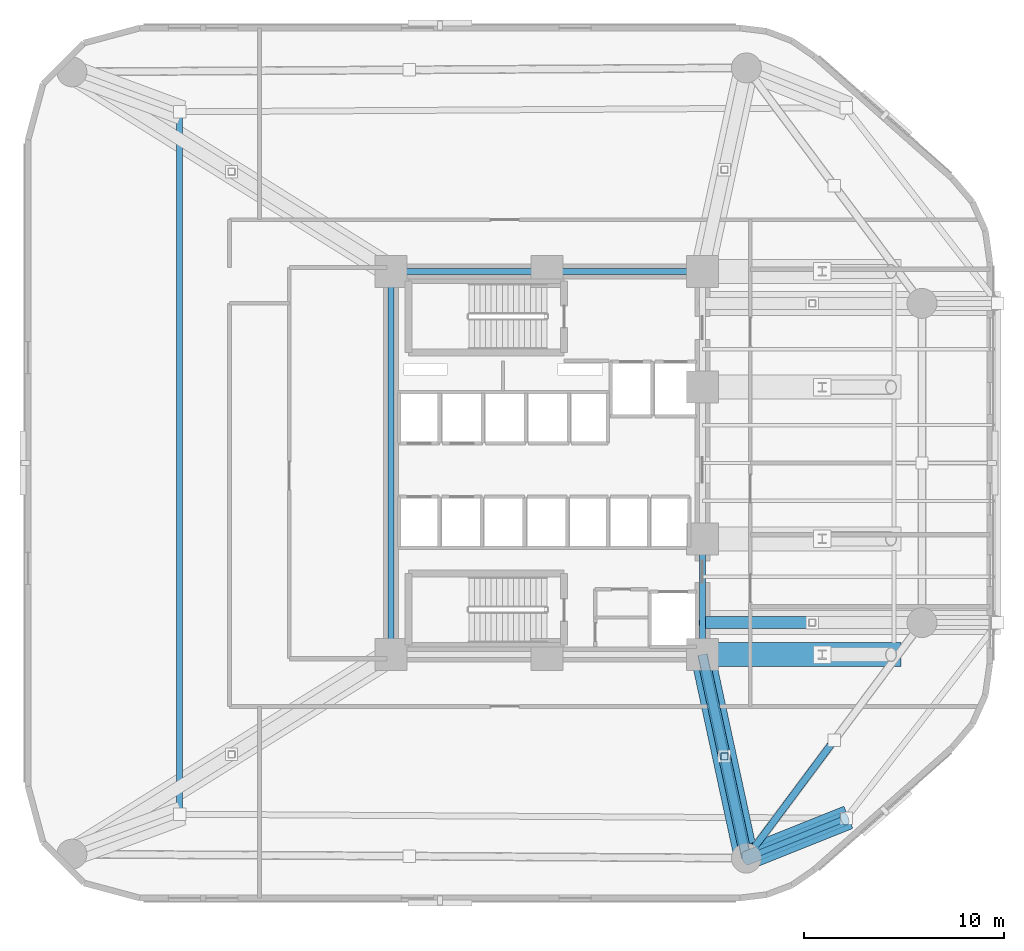
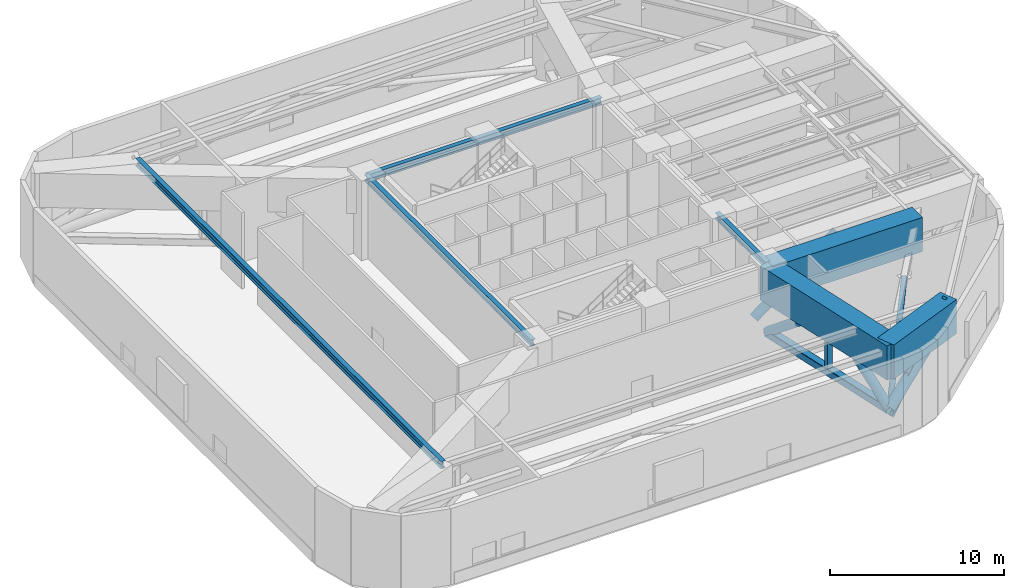
# One storey, part 3 of 11: 8 beams, 7 members.
"""IFC4 building model written with IfcOpenShell, lengths in metres."""

import ifcopenshell
import ifcopenshell.guid

model = None  # the IFC model being written
_history = None  # IfcOwnerHistory: only IFC2X3 demands one
_inside = {}  # id of a spatial element -> (the spatial element, [elements in it])
_under = {}  # id of a project, library or spatial element -> (it, [spatial elements below it])
_declared = {}  # id of a project -> (the project, [libraries it declares])
_typed = {}  # id of a type object -> (the type object, [elements of that type])
_made_of = {}  # id of a material, layer set ... -> (it, [elements and type objects made of it])


def new_model(schema):
    """Start an empty IFC model of exactly this schema.

    Asked for "IFC4X3", IfcOpenShell would pick the latest addendum, in which some entities
    have other attributes; the version numbers below select the first issue.
    IFC2X3 requires an IfcOwnerHistory on every rooted entity: one is made here for all.
    """
    global model, _history
    if schema == "IFC4X3":
        model = ifcopenshell.file(schema_version=(4, 3, 0, 0))
    else:
        model = ifcopenshell.file(schema=schema)
    _inside.clear()
    _under.clear()
    _declared.clear()
    _typed.clear()
    _made_of.clear()
    _history = None
    if model.schema == "IFC2X3":
        org = make("IfcOrganization", Name="unknown")
        user = make(
            "IfcPersonAndOrganization",
            ThePerson=make("IfcPerson", FamilyName="unknown"),
            TheOrganization=org,
        )
        app = make(
            "IfcApplication",
            ApplicationDeveloper=org,
            Version="unknown",
            ApplicationFullName="unknown",
            ApplicationIdentifier="unknown",
        )
        _history = make(
            "IfcOwnerHistory",
            OwningUser=user,
            OwningApplication=app,
            ChangeAction="ADDED",
            CreationDate=0,
        )
    return model


def make(cls, **values):
    """One entity of the class cls with the attributes given. An attribute that is None is left unset."""
    return model.create_entity(
        cls, **{name: value for name, value in values.items() if value is not None}
    )


def rooted(cls, **values):
    """An entity with a GlobalId (a new one), such as an element, a storey or a relation."""
    return make(cls, GlobalId=ifcopenshell.guid.new(), OwnerHistory=_history, **values)


def si_unit(unit_type, name, prefix=None):
    """IfcSIUnit, for example si_unit("LENGTHUNIT", "METRE", prefix="MILLI")."""
    return make("IfcSIUnit", UnitType=unit_type, Prefix=prefix, Name=name)


def assignment(units):
    """IfcUnitAssignment: the units of a project."""
    return None if units is None else make("IfcUnitAssignment", Units=units)


def point(xyz):
    """IfcCartesianPoint."""
    return None if xyz is None else make("IfcCartesianPoint", Coordinates=xyz)


def direction(xyz):
    """IfcDirection."""
    return None if xyz is None else make("IfcDirection", DirectionRatios=xyz)


def frame(location, z_axis=None, x_axis=None):
    """IfcAxis2Placement3D, a coordinate frame: its origin and axes. An axis left out is left unset."""
    return make(
        "IfcAxis2Placement3D",
        Location=point(location),
        Axis=direction(z_axis),
        RefDirection=direction(x_axis),
    )


def frame_2d(location, x_axis=None):
    """IfcAxis2Placement2D, a coordinate frame in the plane: its origin and x axis."""
    return make(
        "IfcAxis2Placement2D", Location=point(location), RefDirection=direction(x_axis)
    )


def origin():
    """The frame at (0, 0, 0) with its axes left unset."""
    return frame((0.0, 0.0, 0.0))


def origin_2d():
    """The frame at (0, 0) in the plane with its x axis left unset."""
    return frame_2d((0.0, 0.0))


def place(relative_to, where):
    """IfcLocalPlacement: puts the frame where relative to a parent placement (None: the world)."""
    return make(
        "IfcLocalPlacement", PlacementRelTo=relative_to, RelativePlacement=where
    )


def context(
    kind, dimensions, precision=None, world=None, true_north=None, identifier=None
):
    """IfcGeometricRepresentationContext, for example the 3D "Model" context."""
    return make(
        "IfcGeometricRepresentationContext",
        ContextIdentifier=identifier,
        ContextType=kind,
        CoordinateSpaceDimension=dimensions,
        Precision=precision,
        WorldCoordinateSystem=world,
        TrueNorth=true_north,
    )


def subcontext(parent, identifier, kind, view, scale=None):
    """IfcGeometricRepresentationSubContext, for example "Body" below "Model"."""
    return make(
        "IfcGeometricRepresentationSubContext",
        ContextIdentifier=identifier,
        ContextType=kind,
        ParentContext=parent,
        TargetScale=scale,
        TargetView=view,
    )


def project(units=None, contexts=None):
    """IfcProject with its units and contexts."""
    return rooted(
        "IfcProject",
        Name="project",
        RepresentationContexts=contexts,
        UnitsInContext=assignment(units),
    )


def spatial(cls, under=None, at=None, **own):
    """A site, building, storey or space (cls), placed at a placement, below another one or the project."""
    s = rooted(cls, ObjectPlacement=at, **own)
    if under is not None:
        _under.setdefault(under.id(), (under, []))[1].append(s)
    return s


def profile(cls, at=None, kind="AREA", **sizes):
    """A parametric profile (cls). Its sizes go by their IFC names, for example OverallWidth=200.0."""
    return make(cls, ProfileType=kind, Position=at, **sizes)


def rectangle(**sizes):
    """IfcRectangleProfileDef."""
    return profile("IfcRectangleProfileDef", **sizes)


def hollow_rectangle(**sizes):
    """IfcRectangleHollowProfileDef."""
    return profile("IfcRectangleHollowProfileDef", **sizes)


def hollow_circle(**sizes):
    """IfcCircleHollowProfileDef."""
    return profile("IfcCircleHollowProfileDef", **sizes)


def i_section(**sizes):
    """IfcIShapeProfileDef."""
    return profile("IfcIShapeProfileDef", **sizes)


def extrude(swept, where, along, depth):
    """IfcExtrudedAreaSolid: the profile swept, set in the frame where, extruded along a direction by depth."""
    return make(
        "IfcExtrudedAreaSolid",
        SweptArea=swept,
        Position=where,
        ExtrudedDirection=direction(along),
        Depth=depth,
    )


def shape(context_of_items, identifier, shape_type, items):
    """IfcShapeRepresentation: the items that make up one representation, for example the "Body"."""
    return make(
        "IfcShapeRepresentation",
        ContextOfItems=context_of_items,
        RepresentationIdentifier=identifier,
        RepresentationType=shape_type,
        Items=items,
    )


def material(Name=None, Category=None):
    """IfcMaterial."""
    return make("IfcMaterial", Name=Name, Category=Category)


def material_profile(
    of_material, cross_section, Name=None, Category=None, Priority=None
):
    """IfcMaterialProfile: a cross section and its material."""
    return make(
        "IfcMaterialProfile",
        Name=Name,
        Material=of_material,
        Profile=cross_section,
        Priority=Priority,
        Category=Category,
    )


def profile_set(profiles, Name=None, composite=None):
    """IfcMaterialProfileSet."""
    return make(
        "IfcMaterialProfileSet",
        Name=Name,
        MaterialProfiles=profiles,
        CompositeProfile=composite,
    )


def made_of(thing, what):
    """Note that an element or type object is made of a material, layer set ...; save() writes the relation."""
    if what is not None:
        _made_of.setdefault(what.id(), (what, []))[1].append(thing)
    return thing


def type_object(cls, material=None, **own):
    """A type object (cls), such as IfcWallType, which elements share."""
    return made_of(rooted(cls, **own), material)


def element(
    cls,
    number,
    at=None,
    inside=None,
    cuts=None,
    type_object=None,
    material=None,
    context=None,
    identifier="Body",
    shape_type=None,
    held_by="IfcProductDefinitionShape",
    body=None,
    shapes=None,
    **own,
):
    """One element of the class cls, such as IfcWall. Its Tag is "e" and its number.

    at: its placement. inside: the storey or other place that contains it. cuts: it is an
    opening in that element (IfcRelVoidsElement). A single representation is given by context,
    identifier, shape_type and body (its items); several are given by shapes. held_by: the class
    of the entity that holds the representations. save() writes the other relations.
    """
    e = rooted(cls, Tag="e%d" % number, ObjectPlacement=at, **own)
    if body is not None:
        shapes = [shape(context, identifier, shape_type, body)]
    if shapes is not None:
        e.Representation = make(held_by, Representations=shapes)
    if inside is not None:
        _inside.setdefault(inside.id(), (inside, []))[1].append(e)
    if cuts is not None:
        rooted(
            "IfcRelVoidsElement", RelatingBuildingElement=cuts, RelatedOpeningElement=e
        )
    if type_object is not None:
        _typed.setdefault(type_object.id(), (type_object, []))[1].append(e)
    return made_of(e, material)


def aggregate(whole, parts):
    """IfcRelAggregates: a whole, such as a stair, and the parts it consists of."""
    return rooted("IfcRelAggregates", RelatingObject=whole, RelatedObjects=parts)


def save(model, path):
    """Write the relations noted so far, then the file.

    IfcRelAggregates (storeys below a building ...), IfcRelContainedInSpatialStructure (elements
    in a storey), IfcRelDefinesByType, IfcRelAssociatesMaterial and IfcRelDeclares: one each for
    every whole, place, type object, material and project.
    """
    for whole, parts in _under.values():
        aggregate(whole, parts)
    for where, things in _inside.values():
        rooted(
            "IfcRelContainedInSpatialStructure",
            RelatedElements=things,
            RelatingStructure=where,
        )
    for kind, things in _typed.values():
        rooted("IfcRelDefinesByType", RelatedObjects=things, RelatingType=kind)
    for what, things in _made_of.values():
        rooted("IfcRelAssociatesMaterial", RelatedObjects=things, RelatingMaterial=what)
    for by, libraries in _declared.values():
        rooted("IfcRelDeclares", RelatingContext=by, RelatedDefinitions=libraries)
    model.write(path)


model = new_model("IFC4")

# Units and contexts
model_context = context("Model", 3, precision=1e-05, world=origin(), true_north=direction((0.0, 1.0)))
body_context = subcontext(model_context, "Body", "Model", "MODEL_VIEW")
ifc_project = project(units=[si_unit("LENGTHUNIT", "METRE"), si_unit("AREAUNIT", "SQUARE_METRE"), si_unit("VOLUMEUNIT", "CUBIC_METRE"), si_unit("PLANEANGLEUNIT", "RADIAN"), si_unit("MASSUNIT", "GRAM", prefix="KILO")], contexts=[model_context])

# Site, building, storey
site_placement = place(None, origin())
site = spatial("IfcSite", under=ifc_project, at=site_placement, CompositionType="ELEMENT")
building_placement = place(site_placement, origin())
building = spatial("IfcBuilding", under=site, at=building_placement, Name="An Khanh Terracotta Commons", CompositionType="ELEMENT")
storey_placement = place(building_placement, frame((0.0, 0.0, 75.60009765625)))
storey = spatial("IfcBuildingStorey", under=building, at=storey_placement, Name="L20", CompositionType="ELEMENT", Elevation=75.60009765625)

# Members
ifc_material_1 = material(Name="Steel S460ML", Category="steel")
ifc_material_profile_1 = material_profile(ifc_material_1, hollow_rectangle(XDim=0.5, YDim=0.5, WallThickness=0.02490234375, InnerFilletRadius=0.02490234375, OuterFilletRadius=0.050048828125, at=origin_2d()), Name="SHS500x500x25")
ifc_profile_set_1 = profile_set([ifc_material_profile_1], Name="Steel S460ML")
member_type_1 = type_object("IfcMemberType", Name="BELT-CHORD-SHS500", PredefinedType="CHORD", material=ifc_profile_set_1)
member_1_placement = place(storey_placement, frame((37.199951171875, 14.39990234375, 0.449951171875), z_axis=(0.210834365214, -0.977521800496, 0.0), x_axis=(0.977521800496, 0.210834365214, 0.0)))
element("IfcMember", 1, at=member_1_placement, inside=storey, type_object=member_type_1, Name="L20 Outrigger Bottom Chord 2", PredefinedType="CHORD", context=body_context, shape_type="SweptSolid", body=[
    extrude(hollow_rectangle(XDim=0.5, YDim=0.5, WallThickness=0.02490234375, InnerFilletRadius=0.02490234375, OuterFilletRadius=0.050048828125, at=origin_2d()), origin(), (0.0, 0.0, 1.0), 10.4345703125),
])
ifc_material_profile_2 = material_profile(ifc_material_1, hollow_circle(Radius=0.177734375, WallThickness=0.01611328125, at=origin_2d()), Name="CHS355.6x16")
ifc_profile_set_2 = profile_set([ifc_material_profile_2], Name="Steel S460ML")
member_type_2 = type_object("IfcMemberType", Name="BELT-DIAG-CHS355", PredefinedType="BRACE", material=ifc_profile_set_2)
member_2_placement = place(storey_placement, frame((39.39990234375, 4.199951171875, 0.449951171875), z_axis=(0.520452721477, 0.697873878929, 0.492037614229), x_axis=(-0.801625050236, 0.597827131229, 0.0)))
element("IfcMember", 2, at=member_2_placement, inside=storey, type_object=member_type_2, Name="L20 Belt-Truss Web Diagonal 2A", PredefinedType="BRACE", context=body_context, shape_type="SweptSolid", body=[
    extrude(hollow_circle(Radius=0.177734375, WallThickness=0.01611328125, at=origin_2d()), origin(), (0.0, 0.0, 1.0), 8.454345703125),
])
ifc_material_profile_3 = material_profile(ifc_material_1, hollow_rectangle(XDim=0.35009765625, YDim=0.35009765625, WallThickness=0.01611328125, InnerFilletRadius=0.01611328125, OuterFilletRadius=0.031982421875, at=origin_2d()), Name="SHS350x350x16")
ifc_profile_set_3 = profile_set([ifc_material_profile_3], Name="Steel S460ML")
member_type_3 = type_object("IfcMemberType", Name="BELT-STRUT-SHS350", PredefinedType="STRUT", material=ifc_profile_set_3)
member_3_placement = place(storey_placement, frame((38.300048828125, 9.300048828125, 0.449951171875), z_axis=(0.0, 0.0, 1.0), x_axis=(1.0, 0.0, 0.0)))
element("IfcMember", 3, at=member_3_placement, inside=storey, type_object=member_type_3, Name="L20 Outrigger Vertical Post 2", PredefinedType="STRUT", context=body_context, shape_type="SweptSolid", body=[
    extrude(hollow_rectangle(XDim=0.35009765625, YDim=0.35009765625, WallThickness=0.01611328125, InnerFilletRadius=0.01611328125, OuterFilletRadius=0.031982421875, at=origin_2d()), origin(), (0.0, 0.0, 1.0), 4.159912109375),
])

# Beams
ifc_material_2 = material(Name="Steel S355J2", Category="steel")
ifc_material_profile_4 = material_profile(ifc_material_2, i_section(OverallWidth=0.300048828125, OverallDepth=0.449951171875, WebThickness=0.013916015625, FlangeThickness=0.02587890625, FilletRadius=0.027099609375, at=origin_2d()), Name="HEB450")
ifc_profile_set_4 = profile_set([ifc_material_profile_4], Name="Steel S355J2")
beam_type_1 = type_object("IfcBeamType", Name="BM-HEB450", PredefinedType="BEAM", material=ifc_profile_set_4)
beam_1_placement = place(storey_placement, frame((37.199951171875, 14.39990234375, 5.135009765625), z_axis=(0.0, 1.0, 0.0), x_axis=(-1.0, 0.0, 0.0)))
element("IfcBeam", 4, at=beam_1_placement, inside=storey, type_object=beam_type_1, Name="L20 Core East Coupling Girder 1", PredefinedType="BEAM", context=body_context, shape_type="SweptSolid", body=[
    extrude(i_section(OverallWidth=0.300048828125, OverallDepth=0.449951171875, WebThickness=0.013916015625, FlangeThickness=0.02587890625, FilletRadius=0.027099609375, at=origin_2d()), origin(), (0.0, 0.0, 1.0), 5.800048828125),
])
beam_2_placement = place(storey_placement, frame((21.60009765625, 14.39990234375, 5.135009765625), z_axis=(0.0, 1.0, 0.0), x_axis=(-1.0, 0.0, 0.0)))
element("IfcBeam", 5, at=beam_2_placement, inside=storey, type_object=beam_type_1, Name="L20 Core West Coupling Girder", PredefinedType="BEAM", context=body_context, shape_type="SweptSolid", body=[
    extrude(i_section(OverallWidth=0.300048828125, OverallDepth=0.449951171875, WebThickness=0.013916015625, FlangeThickness=0.02587890625, FilletRadius=0.027099609375, at=origin_2d()), origin(), (0.0, 0.0, 1.0), 19.2001953125),
])
ifc_material_profile_5 = material_profile(ifc_material_2, i_section(OverallWidth=0.300048828125, OverallDepth=0.5, WebThickness=0.014404296875, FlangeThickness=0.028076171875, FilletRadius=0.027099609375, at=origin_2d()), Name="HEB500")
ifc_profile_set_5 = profile_set([ifc_material_profile_5], Name="Steel S355J2")
beam_type_2 = type_object("IfcBeamType", Name="BM-HEB500", PredefinedType="BEAM", material=ifc_profile_set_5)
beam_3_placement = place(storey_placement, frame((21.60009765625, 33.60009765625, 5.10986328125), z_axis=(1.0, 0.0, 0.0), x_axis=(0.0, 1.0, 0.0)))
element("IfcBeam", 6, at=beam_3_placement, inside=storey, type_object=beam_type_2, Name="L20 Core North Coupling Girder", PredefinedType="BEAM", context=body_context, shape_type="SweptSolid", body=[
    extrude(i_section(OverallWidth=0.300048828125, OverallDepth=0.5, WebThickness=0.014404296875, FlangeThickness=0.028076171875, FilletRadius=0.027099609375, at=origin_2d()), origin(), (0.0, 0.0, 1.0), 15.599853515625),
])
beam_4_placement = place(storey_placement, frame((11.0, 41.60009765625, 5.10986328125), z_axis=(0.0, -1.0, 0.0), x_axis=(1.0, 0.0, 0.0)))
element("IfcBeam", 7, at=beam_4_placement, inside=storey, type_object=beam_type_2, Name="L20 Perimeter Ring Spandrel 6", PredefinedType="BEAM", context=body_context, shape_type="SweptSolid", body=[
    extrude(i_section(OverallWidth=0.300048828125, OverallDepth=0.5, WebThickness=0.014404296875, FlangeThickness=0.028076171875, FilletRadius=0.027099609375, at=origin_2d()), origin(), (0.0, 0.0, 1.0), 35.2001953125),
])
ifc_material_profile_6 = material_profile(ifc_material_2, i_section(OverallWidth=0.300048828125, OverallDepth=0.60009765625, WebThickness=0.015380859375, FlangeThickness=0.030029296875, FilletRadius=0.027099609375, at=origin_2d()), Name="HEB600")
ifc_profile_set_6 = profile_set([ifc_material_profile_6], Name="Steel S355J2")
beam_type_3 = type_object("IfcBeamType", Name="BM-HEB600", PredefinedType="BEAM", material=ifc_profile_set_6)
beam_5_placement = place(storey_placement, frame((39.39990234375, 4.199951171875, 0.0), z_axis=(0.664822495315, 0.265928998126, 0.69806362008), x_axis=(-0.371390676354, 0.928476690885, 0.0)))
element("IfcBeam", 8, at=beam_5_placement, inside=storey, type_object=beam_type_3, Name="L20 Outrigger Lower Column Tie Beam 2", PredefinedType="BEAM", context=body_context, shape_type="SweptSolid", body=[
    extrude(i_section(OverallWidth=0.300048828125, OverallDepth=0.60009765625, WebThickness=0.015380859375, FlangeThickness=0.030029296875, FilletRadius=0.027099609375, at=origin_2d()), origin(), (0.0, 0.0, 1.0), 7.520751953125),
])
ifc_material_3 = material(Name="Concrete C60/75", Category="concrete")
ifc_material_profile_7 = material_profile(ifc_material_3, rectangle(XDim=1.199951171875, YDim=2.39990234375, at=origin_2d()), Name="RCB1200x2400")
ifc_profile_set_7 = profile_set([ifc_material_profile_7], Name="Concrete C60/75")
beam_type_4 = type_object("IfcBeamType", Name="BM-RCB1200x2400", PredefinedType="BEAM", material=ifc_profile_set_7)
beam_6_placement = place(storey_placement, frame((37.199951171875, 14.39990234375, 4.159912109375), z_axis=(0.210863087232, -0.977515605217, 0.0), x_axis=(0.977515605217, 0.210863087232, 0.0)))
element("IfcBeam", 9, at=beam_6_placement, inside=storey, type_object=beam_type_4, Name="L20 Outrigger Core-to-Mega Transfer Girder 2", PredefinedType="BEAM", context=body_context, shape_type="SweptSolid", body=[
    extrude(rectangle(XDim=1.199951171875, YDim=2.39990234375, at=origin_2d()), origin(), (0.0, 0.0, 1.0), 10.884521484375),
])
beam_7_placement = place(storey_placement, frame((39.074951171875, 4.070068359375, 4.159912109375), z_axis=(0.928439302104, 0.371484134665, 0.0), x_axis=(-0.371484134665, 0.928439302104, 0.0)))
element("IfcBeam", 10, at=beam_7_placement, inside=storey, type_object=beam_type_4, Name="L20 Mega-Column Step-Out Transfer Girder 2", PredefinedType="BEAM", context=body_context, shape_type="SweptSolid", body=[
    extrude(rectangle(XDim=1.199951171875, YDim=2.39990234375, at=origin_2d()), origin(), (0.0, 0.0, 1.0), 5.85498046875),
])
beam_8_placement = place(storey_placement, frame((37.199951171875, 14.39990234375, 4.159912109375), z_axis=(1.0, 0.0, 0.0), x_axis=(0.0, 1.0, 0.0)))
element("IfcBeam", 11, at=beam_8_placement, inside=storey, type_object=beam_type_4, Name="L20 Interior Column Step-Out Transfer Girder 1", PredefinedType="BEAM", context=body_context, shape_type="SweptSolid", body=[
    extrude(rectangle(XDim=1.199951171875, YDim=2.39990234375, at=origin_2d()), origin(), (0.0, 0.0, 1.0), 9.949951171875),
])

# Members
ifc_material_profile_8 = material_profile(ifc_material_1, hollow_circle(Radius=0.304931640625, WallThickness=0.030029296875, at=origin_2d()), Name="CHS610x30")
ifc_profile_set_8 = profile_set([ifc_material_profile_8], Name="Steel S460ML")
member_type_4 = type_object("IfcMemberType", Name="OUTRIGGER-DIAG-CHS610", PredefinedType="BRACE", material=ifc_profile_set_8)
member_4_placement = place(storey_placement, frame((37.199951171875, 14.39990234375, 0.449951171875), z_axis=(0.16486791834, -0.764297813184, 0.623431970839), x_axis=(0.97751593787, 0.210861545121, 0.0)))
element("IfcMember", 12, at=member_4_placement, inside=storey, type_object=member_type_4, Name="L20 Outrigger Tie Diagonal 2A", PredefinedType="BRACE", context=body_context, shape_type="SweptSolid", body=[
    extrude(hollow_circle(Radius=0.304931640625, WallThickness=0.030029296875, at=origin_2d()), origin(), (0.0, 0.0, 1.0), 6.672607421875),
])
member_5_placement = place(storey_placement, frame((38.300048828125, 9.300048828125, 4.60986328125), z_axis=(0.164827714585, -0.764317637663, -0.623418297182), x_axis=(0.977527662156, 0.210807186118, 0.0)))
element("IfcMember", 13, at=member_5_placement, inside=storey, type_object=member_type_4, Name="L20 Outrigger Tie Diagonal 2B", PredefinedType="BRACE", context=body_context, shape_type="SweptSolid", body=[
    extrude(hollow_circle(Radius=0.304931640625, WallThickness=0.030029296875, at=origin_2d()), origin(), (0.0, 0.0, 1.0), 6.6728515625),
])
member_6_placement = place(storey_placement, frame((37.199951171875, 16.0, 0.449951171875), z_axis=(0.797563362693, 0.0, 0.603235180083), x_axis=(0.0, 1.0, 0.0)))
element("IfcMember", 14, at=member_6_placement, inside=storey, type_object=member_type_4, Name="L20 Outrigger Tie Diagonal 3A", PredefinedType="BRACE", context=body_context, shape_type="SweptSolid", body=[
    extrude(hollow_circle(Radius=0.304931640625, WallThickness=0.030029296875, at=origin_2d()), origin(), (0.0, 0.0, 1.0), 6.89599609375),
])
ifc_material_profile_9 = material_profile(ifc_material_1, hollow_circle(Radius=0.35546875, WallThickness=0.031982421875, at=origin_2d()), Name="CHS711x32")
ifc_profile_set_9 = profile_set([ifc_material_profile_9], Name="Steel S460ML")
member_type_5 = type_object("IfcMemberType", Name="OUTRIGGER-RAKE-CHS711", PredefinedType="STRUT", material=ifc_profile_set_9)
member_7_placement = place(storey_placement, frame((39.39990234375, 4.199951171875, 0.449951171875), z_axis=(0.760915013284, 0.304298123715, 0.57307154393), x_axis=(-0.371319268009, 0.928505251038, 0.0)))
element("IfcMember", 15, at=member_7_placement, inside=storey, type_object=member_type_5, Name="L20 Zone-Step Raking Outrigger Strut 2", PredefinedType="STRUT", context=body_context, shape_type="SweptSolid", body=[
    extrude(hollow_circle(Radius=0.35546875, WallThickness=0.031982421875, at=origin_2d()), origin(), (0.0, 0.0, 1.0), 6.473876953125),
])

save(model, "model.ifc")
